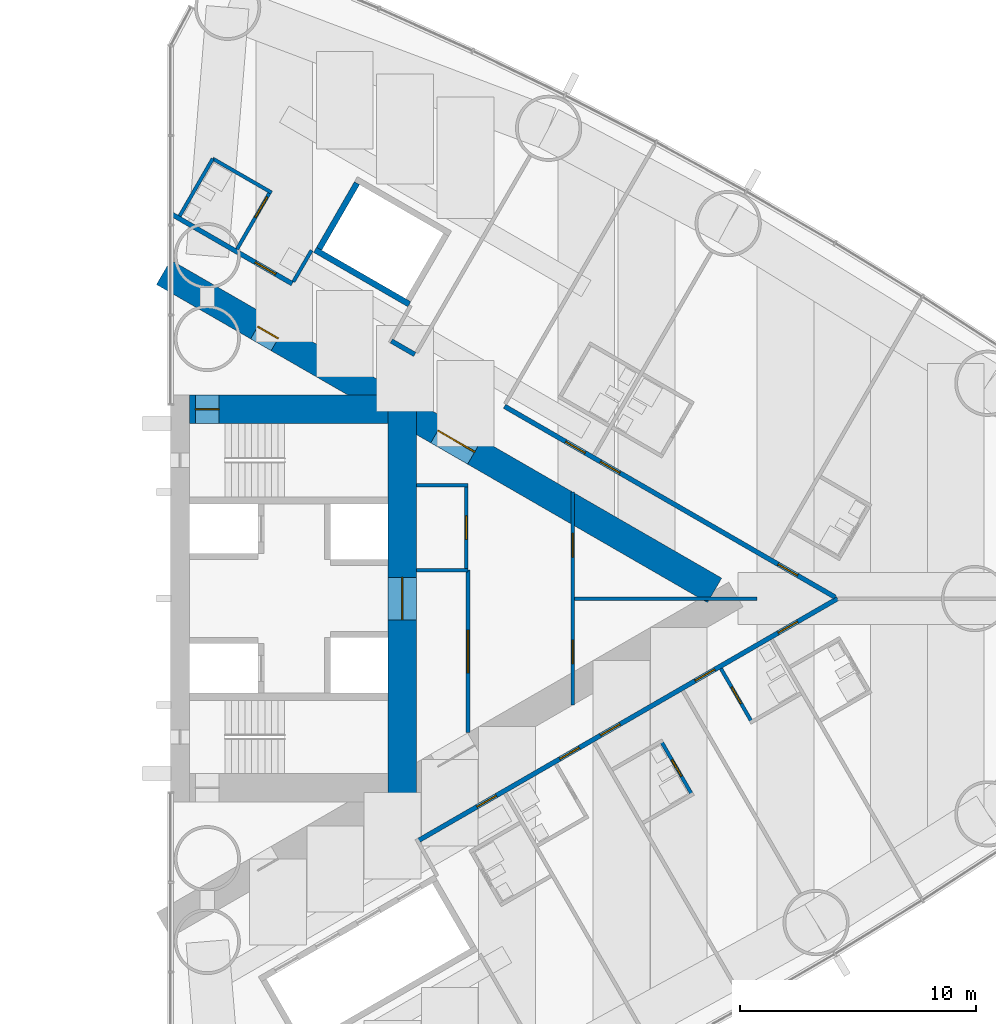
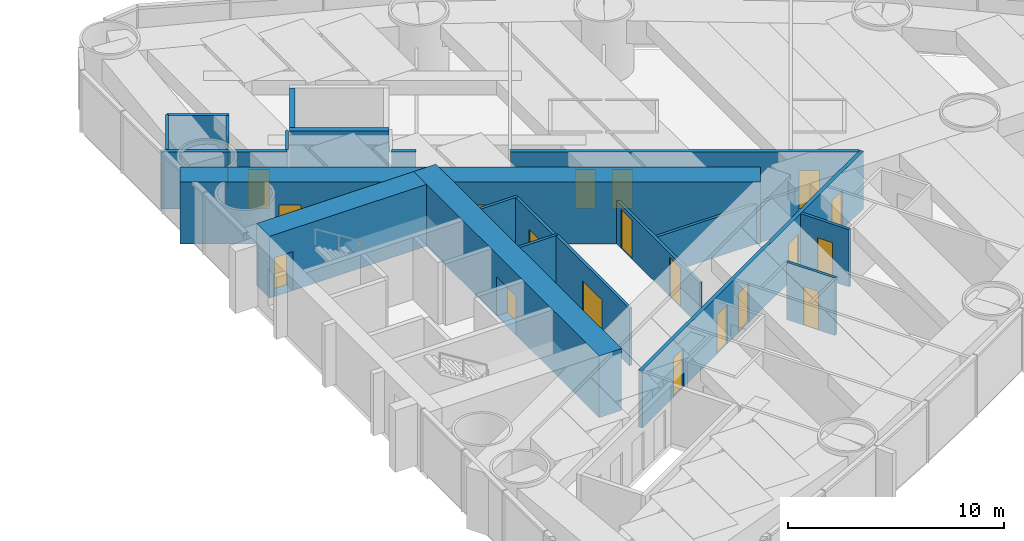
# One storey, part 15 of 19: 21 walls, 20 doors, 20 openings.
"""IFC4 building model written with IfcOpenShell, lengths in metres."""

from ifc_helpers import new_model, si_unit, direction, frame, frame_2d, origin, place, context, subcontext, project, spatial, rectangle, extrude, material, layer, layer_set, type_object, element, fill, save


model = new_model("IFC4")

# Units and contexts
model_context = context("Model", 3, precision=1e-05, world=origin(), true_north=direction((0.0, 1.0)))
body_context = subcontext(model_context, "Body", "Model", "MODEL_VIEW")
ifc_project = project(units=[si_unit("LENGTHUNIT", "METRE"), si_unit("AREAUNIT", "SQUARE_METRE"), si_unit("VOLUMEUNIT", "CUBIC_METRE"), si_unit("PLANEANGLEUNIT", "RADIAN"), si_unit("MASSUNIT", "GRAM", prefix="KILO")], contexts=[model_context])

# Site, building, storey
site_placement = place(None, origin())
site = spatial("IfcSite", under=ifc_project, at=site_placement, CompositionType="ELEMENT")
building_placement = place(site_placement, origin())
building = spatial("IfcBuilding", under=site, at=building_placement, Name="Lancet Gate Hotel", CompositionType="ELEMENT")
storey_placement = place(building_placement, frame((0.0, 0.0, 67.0)))
storey = spatial("IfcBuildingStorey", under=building, at=storey_placement, Name="L17", CompositionType="ELEMENT", Elevation=67.0)

# Wall, opening, door
ifc_material_1 = material(Name="Moisture resistant board partition")
ifc_layer_1 = layer(ifc_material_1, 0.14990234375)
ifc_layer_set_1 = layer_set([ifc_layer_1], Name="Bathroom wall 150")
wall_type_1 = type_object("IfcWallType", Name="Bathroom wall 150", PredefinedType="PARTITIONING", material=ifc_layer_set_1)
wall_1_placement = place(storey_placement, frame((48.246337890625, -6.03662109375, 0.0), z_axis=(0.0, 0.0, 1.0), x_axis=(0.500006934395, -0.866021400173, 0.0)))
wall_1 = element("IfcWall", 1, at=wall_1_placement, inside=storey, type_object=wall_type_1, Name="T2 bathroom wall 150 L17", PredefinedType="PARTITIONING", context=body_context, shape_type="SweptSolid", body=[
    extrude(rectangle(XDim=2.60009765625, YDim=0.14990234375, at=frame_2d((1.300048828125, 0.0))), origin(), (0.0, 0.0, 1.0), 3.25),
])
opening_1_placement = place(wall_1_placement, frame((0.89990234375, 0.0, 0.0)))
opening_1 = element("IfcOpeningElement", 2, at=opening_1_placement, cuts=wall_1, Name="Opening 1755-B", PredefinedType="OPENING", context=body_context, shape_type="SweptSolid", body=[
    extrude(rectangle(XDim=0.800048828125, YDim=2.199951171875, at=frame_2d((0.39990234375, 1.10009765625))), frame((0.0, 0.0849609375, 0.0), z_axis=(0.0, -1.0, 0.0), x_axis=(1.0, 0.0, 0.0)), (0.0, 0.0, 1.0), 0.169921875),
])
ifc_material_2 = material(Name="Timber door set", Category="wood")
door_type_1 = type_object("IfcDoorType", Name="Bathroom door 800", OperationType="SINGLE_SWING_RIGHT", PredefinedType="DOOR", material=ifc_material_2)
door_1_placement = place(opening_1_placement, origin())
door_1 = element("IfcDoor", 3, at=door_1_placement, inside=storey, type_object=door_type_1, Name="1755-B", OperationType="SINGLE_SWING_RIGHT", OverallHeight=2.199951171875, OverallWidth=0.800048828125, PredefinedType="DOOR", context=body_context, shape_type="SweptSolid", body=[
    extrude(rectangle(XDim=0.800048828125, YDim=2.199951171875, at=frame_2d((0.39990234375, 1.10009765625))), frame((0.0, 0.02490234375, 0.0), z_axis=(0.0, -1.0, 0.0), x_axis=(1.0, 0.0, 0.0)), (0.0, 0.0, 1.0), 0.050048828125),
])
fill(opening_1, door_1)

wall_2_placement = place(storey_placement, frame((50.771240234375, -2.96240234375, 0.0), z_axis=(0.0, 0.0, 1.0), x_axis=(0.500006934395, -0.866021400173, 0.0)))
wall_2 = element("IfcWall", 4, at=wall_2_placement, inside=storey, type_object=wall_type_1, Name="T2 bathroom wall 150 L17", PredefinedType="PARTITIONING", context=body_context, shape_type="SweptSolid", body=[
    extrude(rectangle(XDim=2.60009765625, YDim=0.14990234375, at=frame_2d((1.300048828125, 0.0))), origin(), (0.0, 0.0, 1.0), 3.25),
])
opening_2_placement = place(wall_2_placement, frame((0.89990234375, 0.0, 0.0)))
opening_2 = element("IfcOpeningElement", 5, at=opening_2_placement, cuts=wall_2, Name="Opening 1756-B", PredefinedType="OPENING", context=body_context, shape_type="SweptSolid", body=[
    extrude(rectangle(XDim=0.800048828125, YDim=2.199951171875, at=frame_2d((0.39990234375, 1.10009765625))), frame((0.0, 0.0849609375, 0.0), z_axis=(0.0, -1.0, 0.0), x_axis=(1.0, 0.0, 0.0)), (0.0, 0.0, 1.0), 0.169921875),
])
door_2_placement = place(opening_2_placement, origin())
door_2 = element("IfcDoor", 6, at=door_2_placement, inside=storey, type_object=door_type_1, Name="1756-B", OperationType="SINGLE_SWING_RIGHT", OverallHeight=2.199951171875, OverallWidth=0.800048828125, PredefinedType="DOOR", context=body_context, shape_type="SweptSolid", body=[
    extrude(rectangle(XDim=0.800048828125, YDim=2.199951171875, at=frame_2d((0.39990234375, 1.10009765625))), frame((0.0, 0.02490234375, 0.0), z_axis=(0.0, -1.0, 0.0), x_axis=(1.0, 0.0, 0.0)), (0.0, 0.0, 1.0), 0.050048828125),
])
fill(opening_2, door_2)

# Wall
wall_3_placement = place(storey_placement, frame((29.281982421875, 18.6025390625, 0.0), z_axis=(0.0, 0.0, 1.0), x_axis=(0.866018712932, -0.500011588718, 0.0)))
element("IfcWall", 7, at=wall_3_placement, inside=storey, type_object=wall_type_1, Name="T2 bathroom wall 150 L17", PredefinedType="PARTITIONING", context=body_context, shape_type="SweptSolid", body=[
    extrude(rectangle(XDim=2.875, YDim=0.14990234375, at=frame_2d((1.4375, 0.0))), origin(), (0.0, 0.0, 1.0), 3.25),
])

# Wall, opening, door
wall_4_placement = place(storey_placement, frame((30.306640625, 14.777587890625, 0.0), z_axis=(0.0, 0.0, 1.0), x_axis=(0.500049511043, 0.865996816683, 0.0)))
wall_4 = element("IfcWall", 8, at=wall_4_placement, inside=storey, type_object=wall_type_1, Name="T2 bathroom wall 150 L17", PredefinedType="PARTITIONING", context=body_context, shape_type="SweptSolid", body=[
    extrude(rectangle(XDim=2.800048828125, YDim=0.14990234375, at=frame_2d((1.39990234375, 0.0))), origin(), (0.0, 0.0, 1.0), 3.25),
])
opening_3_placement = place(wall_4_placement, frame((1.550048828125, 0.0, 0.0)))
opening_3 = element("IfcOpeningElement", 9, at=opening_3_placement, cuts=wall_4, Name="Opening 1763-B", PredefinedType="OPENING", context=body_context, shape_type="SweptSolid", body=[
    extrude(rectangle(XDim=1.0, YDim=2.199951171875, at=frame_2d((0.5, 1.10009765625))), frame((0.0, 0.0849609375, 0.0), z_axis=(0.0, -1.0, 0.0), x_axis=(1.0, 0.0, 0.0)), (0.0, 0.0, 1.0), 0.169921875),
])
ifc_material_3 = material(Name="Timber door set", Category="wood")
door_type_2 = type_object("IfcDoorType", Name="Accessible en-suite door 1000", OperationType="SINGLE_SWING_RIGHT", PredefinedType="DOOR", material=ifc_material_3)
door_3_placement = place(opening_3_placement, origin())
door_3 = element("IfcDoor", 10, at=door_3_placement, inside=storey, type_object=door_type_2, Name="1763-B", OperationType="SINGLE_SWING_RIGHT", OverallHeight=2.199951171875, OverallWidth=1.0, PredefinedType="DOOR", context=body_context, shape_type="SweptSolid", body=[
    extrude(rectangle(XDim=1.0, YDim=2.199951171875, at=frame_2d((0.5, 1.10009765625))), frame((0.0, 0.02490234375, 0.0), z_axis=(0.0, -1.0, 0.0), x_axis=(1.0, 0.0, 0.0)), (0.0, 0.0, 1.0), 0.050048828125),
])
fill(opening_3, door_3)

# Wall
wall_5_placement = place(storey_placement, frame((27.8818359375, 16.177490234375, 0.0), z_axis=(0.0, 0.0, 1.0), x_axis=(0.500011755427, 0.866018616679, 0.0)))
element("IfcWall", 11, at=wall_5_placement, inside=storey, type_object=wall_type_1, Name="T2 bathroom wall 150 L17", PredefinedType="PARTITIONING", context=body_context, shape_type="SweptSolid", body=[
    extrude(rectangle(XDim=2.80029296875, YDim=0.14990234375, at=frame_2d((1.400146484375, 0.0))), origin(), (0.0, 0.0, 1.0), 3.25),
])

# Wall, openings, doors
ifc_material_4 = material(Name="Concrete C70/85", Category="concrete")
ifc_layer_2 = layer(ifc_material_4, 1.199951171875)
ifc_layer_set_2 = layer_set([ifc_layer_2], Name="Buttress wall 1200")
wall_type_2 = type_object("IfcWallType", Name="Buttress wall 1200", PredefinedType="SHEAR", material=ifc_layer_set_2)
wall_6_placement = place(storey_placement, frame((27.199951171875, 13.800048828125, 0.0), z_axis=(0.0, 0.0, 1.0), x_axis=(0.866024515034, -0.500001539357, 0.0)))
wall_6 = element("IfcWall", 12, at=wall_6_placement, inside=storey, type_object=wall_type_2, Name="T2 buttress wall N L17", PredefinedType="SHEAR", context=body_context, shape_type="SweptSolid", body=[
    extrude(rectangle(XDim=26.9072265625, YDim=1.199951171875, at=frame_2d((13.45361328125, 0.0))), origin(), (0.0, 0.0, 1.0), 3.5),
])
opening_4_placement = place(wall_6_placement, frame((4.60009765625, 0.0, 0.0)))
opening_4 = element("IfcOpeningElement", 13, at=opening_4_placement, cuts=wall_6, Name="Opening T2-L17-LN", PredefinedType="OPENING", context=body_context, shape_type="SweptSolid", body=[
    extrude(rectangle(XDim=1.0, YDim=2.199951171875, at=frame_2d((0.5, 1.10009765625))), frame((0.0, 0.60986328125, 0.0), z_axis=(0.0, -1.0, 0.0), x_axis=(1.0, 0.0, 0.0)), (0.0, 0.0, 1.0), 1.219970703125),
])
opening_5_placement = place(wall_6_placement, frame((13.39453125, 0.0, 0.0)))
opening_5 = element("IfcOpeningElement", 14, at=opening_5_placement, cuts=wall_6, Name="Opening T2-L17-LHN", PredefinedType="OPENING", context=body_context, shape_type="SweptSolid", body=[
    extrude(rectangle(XDim=1.800048828125, YDim=2.199951171875, at=frame_2d((0.89990234375, 1.10009765625))), frame((0.0, 0.60986328125, 0.0), z_axis=(0.0, -1.0, 0.0), x_axis=(1.0, 0.0, 0.0)), (0.0, 0.0, 1.0), 1.219970703125),
])
ifc_material_5 = material(Name="Timber door set", Category="wood")
door_type_3 = type_object("IfcDoorType", Name="Lobby double door 1800", OperationType="DOUBLE_DOOR_SINGLE_SWING", PredefinedType="DOOR", material=ifc_material_5)
door_4_placement = place(opening_5_placement, origin())
door_4 = element("IfcDoor", 15, at=door_4_placement, inside=storey, type_object=door_type_3, Name="T2-L17-LHN", OperationType="DOUBLE_DOOR_SINGLE_SWING", OverallHeight=2.199951171875, OverallWidth=1.800048828125, PredefinedType="DOOR", context=body_context, shape_type="SweptSolid", body=[
    extrude(rectangle(XDim=1.800048828125, YDim=2.199951171875, at=frame_2d((0.89990234375, 1.10009765625))), frame((0.0, 0.02490234375, 0.0), z_axis=(0.0, -1.0, 0.0), x_axis=(1.0, 0.0, 0.0)), (0.0, 0.0, 1.0), 0.050048828125),
])
fill(opening_5, door_4)
ifc_material_6 = material(Name="Timber door set", Category="wood")
door_type_4 = type_object("IfcDoorType", Name="Stair lobby door 1000", OperationType="SINGLE_SWING_LEFT", PredefinedType="DOOR", material=ifc_material_6)
door_5_placement = place(opening_4_placement, origin())
door_5 = element("IfcDoor", 16, at=door_5_placement, inside=storey, type_object=door_type_4, Name="T2-L17-LN", OperationType="SINGLE_SWING_LEFT", OverallHeight=2.199951171875, OverallWidth=1.0, PredefinedType="DOOR", context=body_context, shape_type="SweptSolid", body=[
    extrude(rectangle(XDim=1.0, YDim=2.199951171875, at=frame_2d((0.5, 1.10009765625))), frame((0.0, 0.02490234375, 0.0), z_axis=(0.0, -1.0, 0.0), x_axis=(1.0, 0.0, 0.0)), (0.0, 0.0, 1.0), 0.050048828125),
])
fill(opening_4, door_5)

# Wall, opening, door
ifc_material_7 = material(Name="Concrete C70/85", Category="concrete")
ifc_layer_3 = layer(ifc_material_7, 1.199951171875)
ifc_layer_set_3 = layer_set([ifc_layer_3], Name="Core wall 1200")
wall_type_3 = type_object("IfcWallType", Name="Core wall 1200", PredefinedType="SHEAR", material=ifc_layer_set_3)
wall_7_placement = place(storey_placement, frame((37.300048828125, -8.60009765625, 0.0), z_axis=(0.0, 0.0, 1.0), x_axis=(0.0, 1.0, 0.0)))
wall_7 = element("IfcWall", 17, at=wall_7_placement, inside=storey, type_object=wall_type_3, Name="T2 core wall back L17", PredefinedType="SHEAR", context=body_context, shape_type="SweptSolid", body=[
    extrude(rectangle(XDim=17.2001953125, YDim=1.199951171875, at=frame_2d((8.60009765625, 0.0))), origin(), (0.0, 0.0, 1.0), 3.5),
])
opening_6_placement = place(wall_7_placement, frame((7.699951171875, 0.0, 0.0)))
opening_6 = element("IfcOpeningElement", 18, at=opening_6_placement, cuts=wall_7, Name="Opening T2-L17-LL", PredefinedType="OPENING", context=body_context, shape_type="SweptSolid", body=[
    extrude(rectangle(XDim=1.800048828125, YDim=2.199951171875, at=frame_2d((0.89990234375, 1.10009765625))), frame((0.0, 0.60986328125, 0.0), z_axis=(0.0, -1.0, 0.0), x_axis=(1.0, 0.0, 0.0)), (0.0, 0.0, 1.0), 1.219970703125),
])
door_6_placement = place(opening_6_placement, origin())
door_6 = element("IfcDoor", 19, at=door_6_placement, inside=storey, type_object=door_type_3, Name="T2-L17-LL", OperationType="DOUBLE_DOOR_SINGLE_SWING", OverallHeight=2.199951171875, OverallWidth=1.800048828125, PredefinedType="DOOR", context=body_context, shape_type="SweptSolid", body=[
    extrude(rectangle(XDim=1.800048828125, YDim=2.199951171875, at=frame_2d((0.89990234375, 1.10009765625))), frame((0.0, 0.02490234375, 0.0), z_axis=(0.0, -1.0, 0.0), x_axis=(1.0, 0.0, 0.0)), (0.0, 0.0, 1.0), 0.050048828125),
])
fill(opening_6, door_6)

wall_8_placement = place(storey_placement, frame((28.300048828125, 8.0, 0.0), z_axis=(0.0, 0.0, 1.0), x_axis=(1.0, 0.0, 0.0)))
wall_8 = element("IfcWall", 20, at=wall_8_placement, inside=storey, type_object=wall_type_3, Name="T2 core wall side-N L17", PredefinedType="SHEAR", context=body_context, shape_type="SweptSolid", body=[
    extrude(rectangle(XDim=8.39990234375, YDim=1.199951171875, at=frame_2d((4.199951171875, 0.0))), origin(), (0.0, 0.0, 1.0), 3.5),
])
opening_7_placement = place(wall_8_placement, frame((0.25, 0.0, 0.0)))
opening_7 = element("IfcOpeningElement", 21, at=opening_7_placement, cuts=wall_8, Name="Opening T2-L17-ST2", PredefinedType="OPENING", context=body_context, shape_type="SweptSolid", body=[
    extrude(rectangle(XDim=1.0, YDim=2.199951171875, at=frame_2d((0.5, 1.10009765625))), frame((0.0, 0.60986328125, 0.0), z_axis=(0.0, -1.0, 0.0), x_axis=(1.0, 0.0, 0.0)), (0.0, 0.0, 1.0), 1.219970703125),
])
ifc_material_8 = material(Name="Timber door set", Category="wood")
door_type_5 = type_object("IfcDoorType", Name="Stair door 1000", OperationType="SINGLE_SWING_RIGHT", PredefinedType="DOOR", material=ifc_material_8)
door_7_placement = place(opening_7_placement, origin())
door_7 = element("IfcDoor", 22, at=door_7_placement, inside=storey, type_object=door_type_5, Name="T2-L17-ST2", OperationType="SINGLE_SWING_RIGHT", OverallHeight=2.199951171875, OverallWidth=1.0, PredefinedType="DOOR", context=body_context, shape_type="SweptSolid", body=[
    extrude(rectangle(XDim=1.0, YDim=2.199951171875, at=frame_2d((0.5, 1.10009765625))), frame((0.0, 0.02490234375, 0.0), z_axis=(0.0, -1.0, 0.0), x_axis=(1.0, 0.0, 0.0)), (0.0, 0.0, 1.0), 0.050048828125),
])
fill(opening_7, door_7)

# Wall, openings, doors
ifc_material_9 = material(Name="Gypsum board partition")
ifc_layer_4 = layer(ifc_material_9, 0.199951171875)
ifc_layer_set_4 = layer_set([ifc_layer_4], Name="Corridor wall 200")
wall_type_4 = type_object("IfcWallType", Name="Corridor wall 200", PredefinedType="PARTITIONING", material=ifc_layer_set_4)
wall_9_placement = place(storey_placement, frame((37.9599609375, -10.243408203125, 0.0), z_axis=(0.0, 0.0, 1.0), x_axis=(0.866026429433, 0.499998223521, 0.0)))
wall_9 = element("IfcWall", 23, at=wall_9_placement, inside=storey, type_object=wall_type_4, Name="T2 corridor wall 200 L17", PredefinedType="PARTITIONING", context=body_context, shape_type="SweptSolid", body=[
    extrude(rectangle(XDim=20.48681640625, YDim=0.199951171875, at=frame_2d((10.243408203125, 0.0))), origin(), (0.0, 0.0, 1.0), 3.25),
])
opening_8_placement = place(wall_9_placement, frame((6.925048828125, 0.0, 0.0)))
opening_8 = element("IfcOpeningElement", 24, at=opening_8_placement, cuts=wall_9, Name="Opening 1754-E", PredefinedType="OPENING", context=body_context, shape_type="SweptSolid", body=[
    extrude(rectangle(XDim=0.949951171875, YDim=2.199951171875, at=frame_2d((0.47509765625, 1.10009765625))), frame((0.0, 0.10986328125, 0.0), z_axis=(0.0, -1.0, 0.0), x_axis=(1.0, 0.0, 0.0)), (0.0, 0.0, 1.0), 0.219970703125),
])
opening_9_placement = place(wall_9_placement, frame((8.91162109375, 0.0, 0.0)))
opening_9 = element("IfcOpeningElement", 25, at=opening_9_placement, cuts=wall_9, Name="Opening 1755-E", PredefinedType="OPENING", context=body_context, shape_type="SweptSolid", body=[
    extrude(rectangle(XDim=0.949951171875, YDim=2.199951171875, at=frame_2d((0.47509765625, 1.10009765625))), frame((0.0, 0.10986328125, 0.0), z_axis=(0.0, -1.0, 0.0), x_axis=(1.0, 0.0, 0.0)), (0.0, 0.0, 1.0), 0.219970703125),
])
opening_10_placement = place(wall_9_placement, frame((13.535400390625, 0.0, 0.0)))
opening_10 = element("IfcOpeningElement", 26, at=opening_10_placement, cuts=wall_9, Name="Opening 1756-E", PredefinedType="OPENING", context=body_context, shape_type="SweptSolid", body=[
    extrude(rectangle(XDim=0.949951171875, YDim=2.199951171875, at=frame_2d((0.47509765625, 1.10009765625))), frame((0.0, 0.10986328125, 0.0), z_axis=(0.0, -1.0, 0.0), x_axis=(1.0, 0.0, 0.0)), (0.0, 0.0, 1.0), 0.219970703125),
])
opening_11_placement = place(wall_9_placement, frame((17.58544921875, 0.0, 0.0)))
opening_11 = element("IfcOpeningElement", 27, at=opening_11_placement, cuts=wall_9, Name="Opening 1757-E", PredefinedType="OPENING", context=body_context, shape_type="SweptSolid", body=[
    extrude(rectangle(XDim=0.949951171875, YDim=2.199951171875, at=frame_2d((0.47509765625, 1.10009765625))), frame((0.0, 0.10986328125, 0.0), z_axis=(0.0, -1.0, 0.0), x_axis=(1.0, 0.0, 0.0)), (0.0, 0.0, 1.0), 0.219970703125),
])
opening_12_placement = place(wall_9_placement, frame((2.875, 0.0, 0.0)))
opening_12 = element("IfcOpeningElement", 28, at=opening_12_placement, cuts=wall_9, Name="Opening 1753-E", PredefinedType="OPENING", context=body_context, shape_type="SweptSolid", body=[
    extrude(rectangle(XDim=0.949951171875, YDim=2.199951171875, at=frame_2d((0.47509765625, 1.10009765625))), frame((0.0, 0.10986328125, 0.0), z_axis=(0.0, -1.0, 0.0), x_axis=(1.0, 0.0, 0.0)), (0.0, 0.0, 1.0), 0.219970703125),
])
ifc_material_10 = material(Name="Timber door set", Category="wood")
door_type_6 = type_object("IfcDoorType", Name="Guest room entry door 950", OperationType="SINGLE_SWING_LEFT", PredefinedType="DOOR", material=ifc_material_10)
door_8_placement = place(opening_8_placement, origin())
door_8 = element("IfcDoor", 29, at=door_8_placement, inside=storey, type_object=door_type_6, Name="1754-E", OperationType="SINGLE_SWING_LEFT", OverallHeight=2.199951171875, OverallWidth=0.949951171875, PredefinedType="DOOR", context=body_context, shape_type="SweptSolid", body=[
    extrude(rectangle(XDim=0.949951171875, YDim=2.199951171875, at=frame_2d((0.47509765625, 1.10009765625))), frame((0.0, 0.02490234375, 0.0), z_axis=(0.0, -1.0, 0.0), x_axis=(1.0, 0.0, 0.0)), (0.0, 0.0, 1.0), 0.050048828125),
])
fill(opening_8, door_8)
door_9_placement = place(opening_9_placement, origin())
door_9 = element("IfcDoor", 30, at=door_9_placement, inside=storey, type_object=door_type_6, Name="1755-E", OperationType="SINGLE_SWING_LEFT", OverallHeight=2.199951171875, OverallWidth=0.949951171875, PredefinedType="DOOR", context=body_context, shape_type="SweptSolid", body=[
    extrude(rectangle(XDim=0.949951171875, YDim=2.199951171875, at=frame_2d((0.47509765625, 1.10009765625))), frame((0.0, 0.02490234375, 0.0), z_axis=(0.0, -1.0, 0.0), x_axis=(1.0, 0.0, 0.0)), (0.0, 0.0, 1.0), 0.050048828125),
])
fill(opening_9, door_9)
door_10_placement = place(opening_10_placement, origin())
door_10 = element("IfcDoor", 31, at=door_10_placement, inside=storey, type_object=door_type_6, Name="1756-E", OperationType="SINGLE_SWING_LEFT", OverallHeight=2.199951171875, OverallWidth=0.949951171875, PredefinedType="DOOR", context=body_context, shape_type="SweptSolid", body=[
    extrude(rectangle(XDim=0.949951171875, YDim=2.199951171875, at=frame_2d((0.47509765625, 1.10009765625))), frame((0.0, 0.02490234375, 0.0), z_axis=(0.0, -1.0, 0.0), x_axis=(1.0, 0.0, 0.0)), (0.0, 0.0, 1.0), 0.050048828125),
])
fill(opening_10, door_10)
door_11_placement = place(opening_11_placement, origin())
door_11 = element("IfcDoor", 32, at=door_11_placement, inside=storey, type_object=door_type_6, Name="1757-E", OperationType="SINGLE_SWING_LEFT", OverallHeight=2.199951171875, OverallWidth=0.949951171875, PredefinedType="DOOR", context=body_context, shape_type="SweptSolid", body=[
    extrude(rectangle(XDim=0.949951171875, YDim=2.199951171875, at=frame_2d((0.47509765625, 1.10009765625))), frame((0.0, 0.02490234375, 0.0), z_axis=(0.0, -1.0, 0.0), x_axis=(1.0, 0.0, 0.0)), (0.0, 0.0, 1.0), 0.050048828125),
])
fill(opening_11, door_11)
door_12_placement = place(opening_12_placement, origin())
door_12 = element("IfcDoor", 33, at=door_12_placement, inside=storey, type_object=door_type_6, Name="1753-E", OperationType="SINGLE_SWING_LEFT", OverallHeight=2.199951171875, OverallWidth=0.949951171875, PredefinedType="DOOR", context=body_context, shape_type="SweptSolid", body=[
    extrude(rectangle(XDim=0.949951171875, YDim=2.199951171875, at=frame_2d((0.47509765625, 1.10009765625))), frame((0.0, 0.02490234375, 0.0), z_axis=(0.0, -1.0, 0.0), x_axis=(1.0, 0.0, 0.0)), (0.0, 0.0, 1.0), 0.050048828125),
])
fill(opening_12, door_12)

# Wall, opening, door
wall_10_placement = place(storey_placement, frame((27.572021484375, 16.240966796875, 0.0), z_axis=(0.0, 0.0, 1.0), x_axis=(0.866032814021, -0.499987164874, 0.0)))
wall_10 = element("IfcWall", 34, at=wall_10_placement, inside=storey, type_object=wall_type_4, Name="T2 corridor wall 200 L17", PredefinedType="PARTITIONING", context=body_context, shape_type="SweptSolid", body=[
    extrude(rectangle(XDim=5.854736328125, YDim=0.199951171875, at=frame_2d((2.92724609375, 0.0))), origin(), (0.0, 0.0, 1.0), 3.25),
])
opening_13_placement = place(wall_10_placement, frame((4.050048828125, 0.0, 0.0)))
opening_13 = element("IfcOpeningElement", 35, at=opening_13_placement, cuts=wall_10, Name="Opening 1763-E", PredefinedType="OPENING", context=body_context, shape_type="SweptSolid", body=[
    extrude(rectangle(XDim=1.0, YDim=2.199951171875, at=frame_2d((0.5, 1.10009765625))), frame((0.0, 0.10986328125, 0.0), z_axis=(0.0, -1.0, 0.0), x_axis=(1.0, 0.0, 0.0)), (0.0, 0.0, 1.0), 0.219970703125),
])
ifc_material_11 = material(Name="Timber door set", Category="wood")
door_type_7 = type_object("IfcDoorType", Name="Accessible guest room door 1000", OperationType="SINGLE_SWING_LEFT", PredefinedType="DOOR", material=ifc_material_11)
door_13_placement = place(opening_13_placement, origin())
door_13 = element("IfcDoor", 36, at=door_13_placement, inside=storey, type_object=door_type_7, Name="1763-E", OperationType="SINGLE_SWING_LEFT", OverallHeight=2.199951171875, OverallWidth=1.0, PredefinedType="DOOR", context=body_context, shape_type="SweptSolid", body=[
    extrude(rectangle(XDim=1.0, YDim=2.199951171875, at=frame_2d((0.5, 1.10009765625))), frame((0.0, 0.02490234375, 0.0), z_axis=(0.0, -1.0, 0.0), x_axis=(1.0, 0.0, 0.0)), (0.0, 0.0, 1.0), 0.050048828125),
])
fill(opening_13, door_13)

# Wall
wall_11_placement = place(storey_placement, frame((36.833984375, 10.8935546875, 0.0), z_axis=(0.0, 0.0, 1.0), x_axis=(0.866025463095, -0.499999897272, 0.0)))
element("IfcWall", 37, at=wall_11_placement, inside=storey, type_object=wall_type_4, Name="T2 corridor wall 200 L17", PredefinedType="PARTITIONING", context=body_context, shape_type="SweptSolid", body=[
    extrude(rectangle(XDim=1.142578125, YDim=0.199951171875, at=frame_2d((0.5712890625, 0.0))), origin(), (0.0, 0.0, 1.0), 3.25),
])

# Wall, openings, doors
wall_12_placement = place(storey_placement, frame((41.618896484375, 8.130859375, 0.0), z_axis=(0.0, 0.0, 1.0), x_axis=(0.86603245327, -0.499987789734, 0.0)))
wall_12 = element("IfcWall", 38, at=wall_12_placement, inside=storey, type_object=wall_type_4, Name="T2 corridor wall 200 L17", PredefinedType="PARTITIONING", context=body_context, shape_type="SweptSolid", body=[
    extrude(rectangle(XDim=16.14208984375, YDim=0.199951171875, at=frame_2d((8.071044921875, 0.0))), origin(), (0.0, 0.0, 1.0), 3.25),
])
opening_14_placement = place(wall_12_placement, frame((13.3603515625, 0.0, 0.0)))
opening_14 = element("IfcOpeningElement", 39, at=opening_14_placement, cuts=wall_12, Name="Opening 1758-E", PredefinedType="OPENING", context=body_context, shape_type="SweptSolid", body=[
    extrude(rectangle(XDim=0.949951171875, YDim=2.199951171875, at=frame_2d((0.47509765625, 1.10009765625))), frame((0.0, 0.10986328125, 0.0), z_axis=(0.0, -1.0, 0.0), x_axis=(1.0, 0.0, 0.0)), (0.0, 0.0, 1.0), 0.219970703125),
])
opening_15_placement = place(wall_12_placement, frame((4.6865234375, 0.0, 0.0)))
opening_15 = element("IfcOpeningElement", 40, at=opening_15_placement, cuts=wall_12, Name="Opening 1759-E", PredefinedType="OPENING", context=body_context, shape_type="SweptSolid", body=[
    extrude(rectangle(XDim=0.949951171875, YDim=2.199951171875, at=frame_2d((0.47509765625, 1.10009765625))), frame((0.0, 0.10986328125, 0.0), z_axis=(0.0, -1.0, 0.0), x_axis=(1.0, 0.0, 0.0)), (0.0, 0.0, 1.0), 0.219970703125),
])
opening_16_placement = place(wall_12_placement, frame((2.986572265625, 0.0, 0.0)))
opening_16 = element("IfcOpeningElement", 41, at=opening_16_placement, cuts=wall_12, Name="Opening 1761-E", PredefinedType="OPENING", context=body_context, shape_type="SweptSolid", body=[
    extrude(rectangle(XDim=0.949951171875, YDim=2.199951171875, at=frame_2d((0.47509765625, 1.10009765625))), frame((0.0, 0.10986328125, 0.0), z_axis=(0.0, -1.0, 0.0), x_axis=(1.0, 0.0, 0.0)), (0.0, 0.0, 1.0), 0.219970703125),
])
door_14_placement = place(opening_14_placement, origin())
door_14 = element("IfcDoor", 42, at=door_14_placement, inside=storey, type_object=door_type_6, Name="1758-E", OperationType="SINGLE_SWING_LEFT", OverallHeight=2.199951171875, OverallWidth=0.949951171875, PredefinedType="DOOR", context=body_context, shape_type="SweptSolid", body=[
    extrude(rectangle(XDim=0.949951171875, YDim=2.199951171875, at=frame_2d((0.47509765625, 1.10009765625))), frame((0.0, 0.02490234375, 0.0), z_axis=(0.0, -1.0, 0.0), x_axis=(1.0, 0.0, 0.0)), (0.0, 0.0, 1.0), 0.050048828125),
])
fill(opening_14, door_14)
door_15_placement = place(opening_15_placement, origin())
door_15 = element("IfcDoor", 43, at=door_15_placement, inside=storey, type_object=door_type_6, Name="1759-E", OperationType="SINGLE_SWING_LEFT", OverallHeight=2.199951171875, OverallWidth=0.949951171875, PredefinedType="DOOR", context=body_context, shape_type="SweptSolid", body=[
    extrude(rectangle(XDim=0.949951171875, YDim=2.199951171875, at=frame_2d((0.47509765625, 1.10009765625))), frame((0.0, 0.02490234375, 0.0), z_axis=(0.0, -1.0, 0.0), x_axis=(1.0, 0.0, 0.0)), (0.0, 0.0, 1.0), 0.050048828125),
])
fill(opening_15, door_15)
door_16_placement = place(opening_16_placement, origin())
door_16 = element("IfcDoor", 44, at=door_16_placement, inside=storey, type_object=door_type_6, Name="1761-E", OperationType="SINGLE_SWING_LEFT", OverallHeight=2.199951171875, OverallWidth=0.949951171875, PredefinedType="DOOR", context=body_context, shape_type="SweptSolid", body=[
    extrude(rectangle(XDim=0.949951171875, YDim=2.199951171875, at=frame_2d((0.47509765625, 1.10009765625))), frame((0.0, 0.02490234375, 0.0), z_axis=(0.0, -1.0, 0.0), x_axis=(1.0, 0.0, 0.0)), (0.0, 0.0, 1.0), 0.050048828125),
])
fill(opening_16, door_16)

# Walls
ifc_material_12 = material(Name="Gypsum board partition")
ifc_layer_5 = layer(ifc_material_12, 0.25)
ifc_layer_set_5 = layer_set([ifc_layer_5], Name="Lift shaft partition 250")
wall_type_5 = type_object("IfcWallType", Name="Lift shaft partition 250", PredefinedType="PARTITIONING", material=ifc_layer_set_5)
wall_13_placement = place(storey_placement, frame((33.6083984375, 14.747314453125, 0.0), z_axis=(0.0, 0.0, 1.0), x_axis=(0.866043305498, -0.49996899204, 0.0)))
element("IfcWall", 45, at=wall_13_placement, inside=storey, type_object=wall_type_5, Name="T2 lift shaft wall EX L17", PredefinedType="PARTITIONING", context=body_context, shape_type="SweptSolid", body=[
    extrude(rectangle(XDim=4.600341796875, YDim=0.25, at=frame_2d((2.30029296875, 0.0))), origin(), (0.0, 0.0, 1.0), 3.25),
])
wall_14_placement = place(storey_placement, frame((33.779296875, 14.79296875, 0.0), z_axis=(0.0, 0.0, 1.0), x_axis=(0.499929347863, 0.866066190972, 0.0)))
element("IfcWall", 46, at=wall_14_placement, inside=storey, type_object=wall_type_5, Name="T2 lift shaft wall EX L17", PredefinedType="PARTITIONING", context=body_context, shape_type="SweptSolid", body=[
    extrude(rectangle(XDim=3.20068359375, YDim=0.25, at=frame_2d((1.600341796875, 0.0))), origin(), (0.0, 0.0, 1.0), 3.25),
])
ifc_material_13 = material(Name="Gypsum board partition")
ifc_layer_6 = layer(ifc_material_13, 0.14990234375)
ifc_layer_set_6 = layer_set([ifc_layer_6], Name="Service room wall 150")
wall_type_6 = type_object("IfcWallType", Name="Service room wall 150", PredefinedType="PARTITIONING", material=ifc_layer_set_6)
wall_15_placement = place(storey_placement, frame((32.6923828125, 13.400390625, 0.0), z_axis=(0.0, 0.0, 1.0), x_axis=(0.499985008713, 0.866034058835, 0.0)))
element("IfcWall", 47, at=wall_15_placement, inside=storey, type_object=wall_type_6, Name="T2 service room wall 150 L17", PredefinedType="PARTITIONING", context=body_context, shape_type="SweptSolid", body=[
    extrude(rectangle(XDim=1.529296875, YDim=0.14990234375, at=frame_2d((0.7646484375, 0.0))), origin(), (0.0, 0.0, 1.0), 3.25),
])
for number, where, z_axis, x_axis, name in (
    (48, (37.89990234375, 1.199951171875, 0.0), (0.0, 0.0, 1.0), (1.0, 0.0, 0.0), "T2 service room wall 150 L17"),
    (49, (37.89990234375, 4.800048828125, 0.0), (0.0, 0.0, 1.0), (1.0, 0.0, 0.0), "T2 service room wall 150 L17"),
):
    element("IfcWall", number, at=place(storey_placement, frame(where, z_axis=z_axis, x_axis=x_axis)), inside=storey, type_object=wall_type_6, Name=name, PredefinedType="PARTITIONING", context=body_context, shape_type="SweptSolid", body=[
        extrude(rectangle(XDim=2.175048828125, YDim=0.14990234375, at=frame_2d((1.08740234375, 0.0))), origin(), (0.0, 0.0, 1.0), 3.25),
    ])

# Wall, opening, door
wall_16_placement = place(storey_placement, frame((40.0, 1.125, 0.0), z_axis=(0.0, 0.0, 1.0), x_axis=(0.0, 1.0, 0.0)))
wall_16 = element("IfcWall", 50, at=wall_16_placement, inside=storey, type_object=wall_type_6, Name="T2 service room wall 150 L17", PredefinedType="PARTITIONING", context=body_context, shape_type="SweptSolid", body=[
    extrude(rectangle(XDim=3.75, YDim=0.14990234375, at=frame_2d((1.875, 0.0))), origin(), (0.0, 0.0, 1.0), 3.25),
])
opening_17_placement = place(wall_16_placement, frame((1.375, 0.0, 0.0)))
opening_17 = element("IfcOpeningElement", 51, at=opening_17_placement, cuts=wall_16, Name="Opening T2-L17-HRN0", PredefinedType="OPENING", context=body_context, shape_type="SweptSolid", body=[
    extrude(rectangle(XDim=1.0, YDim=2.199951171875, at=frame_2d((0.5, 1.10009765625))), frame((0.0, 0.0849609375, 0.0), z_axis=(0.0, -1.0, 0.0), x_axis=(1.0, 0.0, 0.0)), (0.0, 0.0, 1.0), 0.169921875),
])
ifc_material_14 = material(Name="Timber door set", Category="wood")
door_type_8 = type_object("IfcDoorType", Name="Service door 1000", OperationType="SINGLE_SWING_LEFT", PredefinedType="DOOR", material=ifc_material_14)
door_17_placement = place(opening_17_placement, origin())
door_17 = element("IfcDoor", 52, at=door_17_placement, inside=storey, type_object=door_type_8, Name="T2-L17-HRN0", OperationType="SINGLE_SWING_LEFT", OverallHeight=2.199951171875, OverallWidth=1.0, PredefinedType="DOOR", context=body_context, shape_type="SweptSolid", body=[
    extrude(rectangle(XDim=1.0, YDim=2.199951171875, at=frame_2d((0.5, 1.10009765625))), frame((0.0, 0.02490234375, 0.0), z_axis=(0.0, -1.0, 0.0), x_axis=(1.0, 0.0, 0.0)), (0.0, 0.0, 1.0), 0.050048828125),
])
fill(opening_17, door_17)

wall_17_placement = place(storey_placement, frame((40.074951171875, -5.673828125, 0.0), z_axis=(0.0, 0.0, 1.0), x_axis=(0.0, 1.0, 0.0)))
wall_17 = element("IfcWall", 53, at=wall_17_placement, inside=storey, type_object=wall_type_6, Name="T2 service room wall 150 L17", PredefinedType="PARTITIONING", context=body_context, shape_type="SweptSolid", body=[
    extrude(rectangle(XDim=6.873779296875, YDim=0.14990234375, at=frame_2d((3.43701171875, 0.0))), origin(), (0.0, 0.0, 1.0), 3.25),
])
opening_18_placement = place(wall_17_placement, frame((2.536865234375, 0.0, 0.0)))
opening_18 = element("IfcOpeningElement", 54, at=opening_18_placement, cuts=wall_17, Name="Opening T2-L17-LH", PredefinedType="OPENING", context=body_context, shape_type="SweptSolid", body=[
    extrude(rectangle(XDim=1.800048828125, YDim=2.199951171875, at=frame_2d((0.89990234375, 1.10009765625))), frame((0.0, 0.0849609375, 0.0), z_axis=(0.0, -1.0, 0.0), x_axis=(1.0, 0.0, 0.0)), (0.0, 0.0, 1.0), 0.169921875),
])
door_18_placement = place(opening_18_placement, origin())
door_18 = element("IfcDoor", 55, at=door_18_placement, inside=storey, type_object=door_type_3, Name="T2-L17-LH", OperationType="DOUBLE_DOOR_SINGLE_SWING", OverallHeight=2.199951171875, OverallWidth=1.800048828125, PredefinedType="DOOR", context=body_context, shape_type="SweptSolid", body=[
    extrude(rectangle(XDim=1.800048828125, YDim=2.199951171875, at=frame_2d((0.89990234375, 1.10009765625))), frame((0.0, 0.02490234375, 0.0), z_axis=(0.0, -1.0, 0.0), x_axis=(1.0, 0.0, 0.0)), (0.0, 0.0, 1.0), 0.050048828125),
])
fill(opening_18, door_18)

# Wall, openings, doors
wall_18_placement = place(storey_placement, frame((44.5, -4.504638671875, 0.0), z_axis=(0.0, 0.0, 1.0), x_axis=(0.0, 1.0, 0.0)))
wall_18 = element("IfcWall", 56, at=wall_18_placement, inside=storey, type_object=wall_type_6, Name="T2 service room wall 150 L17", PredefinedType="PARTITIONING", context=body_context, shape_type="SweptSolid", body=[
    extrude(rectangle(XDim=9.00927734375, YDim=0.14990234375, at=frame_2d((4.504638671875, 0.0))), origin(), (0.0, 0.0, 1.0), 2.449951171875),
])
opening_19_placement = place(wall_18_placement, frame((1.752197265625, 0.0, 0.0)))
opening_19 = element("IfcOpeningElement", 57, at=opening_19_placement, cuts=wall_18, Name="Opening T2-L17-SV", PredefinedType="OPENING", context=body_context, shape_type="SweptSolid", body=[
    extrude(rectangle(XDim=1.0, YDim=2.199951171875, at=frame_2d((0.5, 1.10009765625))), frame((0.0, 0.0849609375, 0.0), z_axis=(0.0, -1.0, 0.0), x_axis=(1.0, 0.0, 0.0)), (0.0, 0.0, 1.0), 0.169921875),
])
opening_20_placement = place(wall_18_placement, frame((6.2568359375, 0.0, 0.0)))
opening_20 = element("IfcOpeningElement", 58, at=opening_20_placement, cuts=wall_18, Name="Opening T2-L17-SV2", PredefinedType="OPENING", context=body_context, shape_type="SweptSolid", body=[
    extrude(rectangle(XDim=1.0, YDim=2.199951171875, at=frame_2d((0.5, 1.10009765625))), frame((0.0, 0.0849609375, 0.0), z_axis=(0.0, -1.0, 0.0), x_axis=(1.0, 0.0, 0.0)), (0.0, 0.0, 1.0), 0.169921875),
])
door_19_placement = place(opening_19_placement, origin())
door_19 = element("IfcDoor", 59, at=door_19_placement, inside=storey, type_object=door_type_8, Name="T2-L17-SV", OperationType="SINGLE_SWING_LEFT", OverallHeight=2.199951171875, OverallWidth=1.0, PredefinedType="DOOR", context=body_context, shape_type="SweptSolid", body=[
    extrude(rectangle(XDim=1.0, YDim=2.199951171875, at=frame_2d((0.5, 1.10009765625))), frame((0.0, 0.02490234375, 0.0), z_axis=(0.0, -1.0, 0.0), x_axis=(1.0, 0.0, 0.0)), (0.0, 0.0, 1.0), 0.050048828125),
])
fill(opening_19, door_19)
door_20_placement = place(opening_20_placement, origin())
door_20 = element("IfcDoor", 60, at=door_20_placement, inside=storey, type_object=door_type_8, Name="T2-L17-SV2", OperationType="SINGLE_SWING_LEFT", OverallHeight=2.199951171875, OverallWidth=1.0, PredefinedType="DOOR", context=body_context, shape_type="SweptSolid", body=[
    extrude(rectangle(XDim=1.0, YDim=2.199951171875, at=frame_2d((0.5, 1.10009765625))), frame((0.0, 0.02490234375, 0.0), z_axis=(0.0, -1.0, 0.0), x_axis=(1.0, 0.0, 0.0)), (0.0, 0.0, 1.0), 0.050048828125),
])
fill(opening_20, door_20)

# Wall
wall_19_placement = place(storey_placement, frame((44.574951171875, 0.0, 0.0), z_axis=(0.0, 0.0, 1.0), x_axis=(1.0, 0.0, 0.0)))
element("IfcWall", 61, at=wall_19_placement, inside=storey, type_object=wall_type_6, Name="T2 service room wall 150 L17", PredefinedType="PARTITIONING", context=body_context, shape_type="SweptSolid", body=[
    extrude(rectangle(XDim=7.727294921875, YDim=0.14990234375, at=frame_2d((3.86376953125, 0.0))), origin(), (0.0, 0.0, 1.0), 2.25),
])

save(model, "model.ifc")
